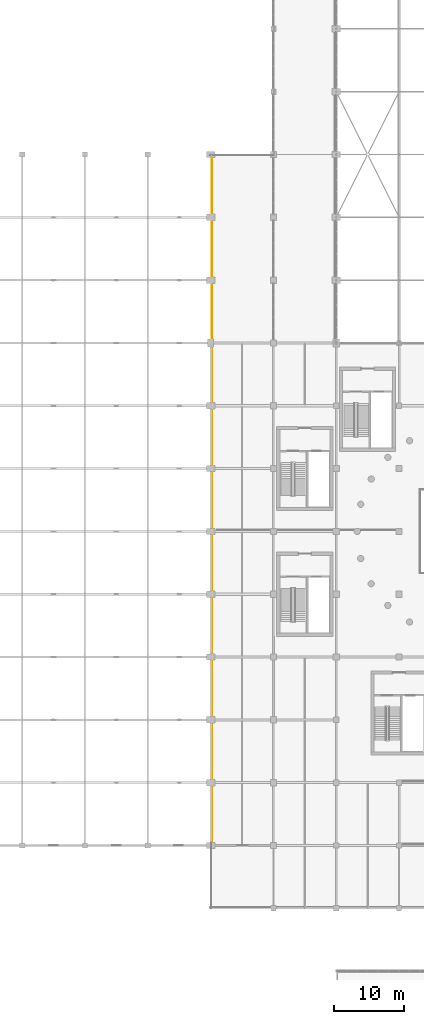
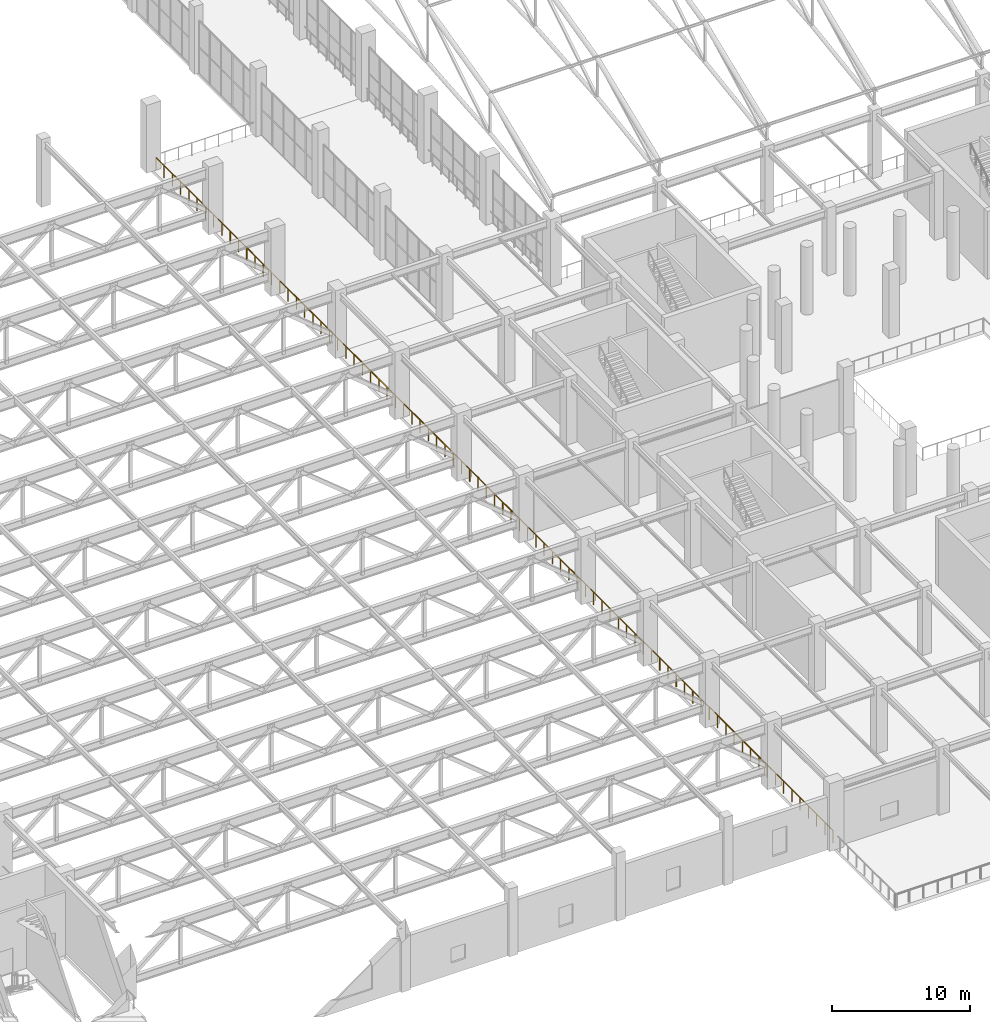
# One storey, part 209 of 223: 1 railing.
"""IFC4 building model written with IfcOpenShell, lengths in metres."""

from ifc_helpers import new_model, si_unit, direction, frame, origin, origin_2d, place, context, subcontext, project, spatial, circle, extrude, material, type_object, element, save


model = new_model("IFC4")

# Units and contexts
model_context = context("Model", 3, precision=1e-05, world=origin(), true_north=direction((0.0, 1.0)))
body_context = subcontext(model_context, "Body", "Model", "MODEL_VIEW")
ifc_project = project(units=[si_unit("LENGTHUNIT", "METRE"), si_unit("AREAUNIT", "SQUARE_METRE"), si_unit("VOLUMEUNIT", "CUBIC_METRE"), si_unit("PLANEANGLEUNIT", "RADIAN"), si_unit("MASSUNIT", "GRAM", prefix="KILO")], contexts=[model_context])

# Site, building, storey
site_placement = place(None, origin())
site = spatial("IfcSite", under=ifc_project, at=site_placement, CompositionType="ELEMENT")
building_placement = place(site_placement, origin())
building = spatial("IfcBuilding", under=site, at=building_placement, Name="Dornveld Trade and Exhibition Forum", CompositionType="ELEMENT")
storey_placement = place(building_placement, frame((0.0, 0.0, 6.0)))
storey = spatial("IfcBuildingStorey", under=building, at=storey_placement, Name="L01", CompositionType="ELEMENT", Elevation=6.0)

# Railing
ifc_material = material(Name="Dark-bronze steel and laminated glass balustrade", Category="steel")
railing_type = type_object("IfcRailingType", Name="RL-BALUST-CONC", PredefinedType="BALUSTRADE", material=ifc_material)
railing_placement = place(storey_placement, frame((81.199951171875, 36.39990234375, 0.0)))
element("IfcRailing", 1, at=railing_placement, inside=storey, type_object=railing_type, Name="L01 protective edge guard 22", PredefinedType="BALUSTRADE", context=body_context, shape_type="SweptSolid", body=[
    extrude(circle(Radius=0.02490234375, at=origin_2d()), frame((0.0, 0.0, 1.09521484375), z_axis=(0.0, 1.0, 0.0), x_axis=(-1.0, 0.0, 0.0)), (0.0, 0.0, 1.0), 98.2001953125),
    extrude(circle(Radius=0.02099609375, at=origin_2d()), origin(), (0.0, 0.0, 1.0), 1.070068359375),
    extrude(circle(Radius=0.02099609375, at=origin_2d()), frame((0.0, 1.197509765625, 0.0)), (0.0, 0.0, 1.0), 1.070068359375),
    extrude(circle(Radius=0.02099609375, at=origin_2d()), frame((0.0, 2.39501953125, 0.0)), (0.0, 0.0, 1.0), 1.070068359375),
    extrude(circle(Radius=0.02099609375, at=origin_2d()), frame((0.0, 3.5927734375, 0.0)), (0.0, 0.0, 1.0), 1.070068359375),
    extrude(circle(Radius=0.02099609375, at=origin_2d()), frame((0.0, 4.790283203125, 0.0)), (0.0, 0.0, 1.0), 1.070068359375),
    extrude(circle(Radius=0.02099609375, at=origin_2d()), frame((0.0, 5.98779296875, 0.0)), (0.0, 0.0, 1.0), 1.070068359375),
    extrude(circle(Radius=0.02099609375, at=origin_2d()), frame((0.0, 7.185302734375, 0.0)), (0.0, 0.0, 1.0), 1.070068359375),
    extrude(circle(Radius=0.02099609375, at=origin_2d()), frame((0.0, 8.383056640625, 0.0)), (0.0, 0.0, 1.0), 1.070068359375),
    extrude(circle(Radius=0.02099609375, at=origin_2d()), frame((0.0, 9.58056640625, 0.0)), (0.0, 0.0, 1.0), 1.070068359375),
    extrude(circle(Radius=0.02099609375, at=origin_2d()), frame((0.0, 10.778076171875, 0.0)), (0.0, 0.0, 1.0), 1.070068359375),
    extrude(circle(Radius=0.02099609375, at=origin_2d()), frame((0.0, 11.9755859375, 0.0)), (0.0, 0.0, 1.0), 1.070068359375),
    extrude(circle(Radius=0.02099609375, at=origin_2d()), frame((0.0, 13.173095703125, 0.0)), (0.0, 0.0, 1.0), 1.070068359375),
    extrude(circle(Radius=0.02099609375, at=origin_2d()), frame((0.0, 14.370849609375, 0.0)), (0.0, 0.0, 1.0), 1.070068359375),
    extrude(circle(Radius=0.02099609375, at=origin_2d()), frame((0.0, 15.568359375, 0.0)), (0.0, 0.0, 1.0), 1.070068359375),
    extrude(circle(Radius=0.02099609375, at=origin_2d()), frame((0.0, 16.765869140625, 0.0)), (0.0, 0.0, 1.0), 1.070068359375),
    extrude(circle(Radius=0.02099609375, at=origin_2d()), frame((0.0, 17.96337890625, 0.0)), (0.0, 0.0, 1.0), 1.070068359375),
    extrude(circle(Radius=0.02099609375, at=origin_2d()), frame((0.0, 19.1611328125, 0.0)), (0.0, 0.0, 1.0), 1.070068359375),
    extrude(circle(Radius=0.02099609375, at=origin_2d()), frame((0.0, 20.358642578125, 0.0)), (0.0, 0.0, 1.0), 1.070068359375),
    extrude(circle(Radius=0.02099609375, at=origin_2d()), frame((0.0, 21.55615234375, 0.0)), (0.0, 0.0, 1.0), 1.070068359375),
    extrude(circle(Radius=0.02099609375, at=origin_2d()), frame((0.0, 22.753662109375, 0.0)), (0.0, 0.0, 1.0), 1.070068359375),
    extrude(circle(Radius=0.02099609375, at=origin_2d()), frame((0.0, 23.951171875, 0.0)), (0.0, 0.0, 1.0), 1.070068359375),
    extrude(circle(Radius=0.02099609375, at=origin_2d()), frame((0.0, 25.14892578125, 0.0)), (0.0, 0.0, 1.0), 1.070068359375),
    extrude(circle(Radius=0.02099609375, at=origin_2d()), frame((0.0, 26.346435546875, 0.0)), (0.0, 0.0, 1.0), 1.070068359375),
    extrude(circle(Radius=0.02099609375, at=origin_2d()), frame((0.0, 27.5439453125, 0.0)), (0.0, 0.0, 1.0), 1.070068359375),
    extrude(circle(Radius=0.02099609375, at=origin_2d()), frame((0.0, 28.741455078125, 0.0)), (0.0, 0.0, 1.0), 1.070068359375),
    extrude(circle(Radius=0.02099609375, at=origin_2d()), frame((0.0, 29.93896484375, 0.0)), (0.0, 0.0, 1.0), 1.070068359375),
    extrude(circle(Radius=0.02099609375, at=origin_2d()), frame((0.0, 31.13671875, 0.0)), (0.0, 0.0, 1.0), 1.070068359375),
    extrude(circle(Radius=0.02099609375, at=origin_2d()), frame((0.0, 32.334228515625, 0.0)), (0.0, 0.0, 1.0), 1.070068359375),
    extrude(circle(Radius=0.02099609375, at=origin_2d()), frame((0.0, 33.53173828125, 0.0)), (0.0, 0.0, 1.0), 1.070068359375),
    extrude(circle(Radius=0.02099609375, at=origin_2d()), frame((0.0, 34.729248046875, 0.0)), (0.0, 0.0, 1.0), 1.070068359375),
    extrude(circle(Radius=0.02099609375, at=origin_2d()), frame((0.0, 35.927001953125, 0.0)), (0.0, 0.0, 1.0), 1.070068359375),
    extrude(circle(Radius=0.02099609375, at=origin_2d()), frame((0.0, 37.12451171875, 0.0)), (0.0, 0.0, 1.0), 1.070068359375),
    extrude(circle(Radius=0.02099609375, at=origin_2d()), frame((0.0, 38.322021484375, 0.0)), (0.0, 0.0, 1.0), 1.070068359375),
    extrude(circle(Radius=0.02099609375, at=origin_2d()), frame((0.0, 39.51953125, 0.0)), (0.0, 0.0, 1.0), 1.070068359375),
    extrude(circle(Radius=0.02099609375, at=origin_2d()), frame((0.0, 40.717041015625, 0.0)), (0.0, 0.0, 1.0), 1.070068359375),
    extrude(circle(Radius=0.02099609375, at=origin_2d()), frame((0.0, 41.914794921875, 0.0)), (0.0, 0.0, 1.0), 1.070068359375),
    extrude(circle(Radius=0.02099609375, at=origin_2d()), frame((0.0, 43.1123046875, 0.0)), (0.0, 0.0, 1.0), 1.070068359375),
    extrude(circle(Radius=0.02099609375, at=origin_2d()), frame((0.0, 44.309814453125, 0.0)), (0.0, 0.0, 1.0), 1.070068359375),
    extrude(circle(Radius=0.02099609375, at=origin_2d()), frame((0.0, 45.50732421875, 0.0)), (0.0, 0.0, 1.0), 1.070068359375),
    extrude(circle(Radius=0.02099609375, at=origin_2d()), frame((0.0, 46.705078125, 0.0)), (0.0, 0.0, 1.0), 1.070068359375),
    extrude(circle(Radius=0.02099609375, at=origin_2d()), frame((0.0, 47.902587890625, 0.0)), (0.0, 0.0, 1.0), 1.070068359375),
    extrude(circle(Radius=0.02099609375, at=origin_2d()), frame((0.0, 49.10009765625, 0.0)), (0.0, 0.0, 1.0), 1.070068359375),
    extrude(circle(Radius=0.02099609375, at=origin_2d()), frame((0.0, 50.297607421875, 0.0)), (0.0, 0.0, 1.0), 1.070068359375),
    extrude(circle(Radius=0.02099609375, at=origin_2d()), frame((0.0, 51.4951171875, 0.0)), (0.0, 0.0, 1.0), 1.070068359375),
    extrude(circle(Radius=0.02099609375, at=origin_2d()), frame((0.0, 52.69287109375, 0.0)), (0.0, 0.0, 1.0), 1.070068359375),
    extrude(circle(Radius=0.02099609375, at=origin_2d()), frame((0.0, 53.890380859375, 0.0)), (0.0, 0.0, 1.0), 1.070068359375),
    extrude(circle(Radius=0.02099609375, at=origin_2d()), frame((0.0, 55.087890625, 0.0)), (0.0, 0.0, 1.0), 1.070068359375),
    extrude(circle(Radius=0.02099609375, at=origin_2d()), frame((0.0, 56.285400390625, 0.0)), (0.0, 0.0, 1.0), 1.070068359375),
    extrude(circle(Radius=0.02099609375, at=origin_2d()), frame((0.0, 57.483154296875, 0.0)), (0.0, 0.0, 1.0), 1.070068359375),
    extrude(circle(Radius=0.02099609375, at=origin_2d()), frame((0.0, 58.6806640625, 0.0)), (0.0, 0.0, 1.0), 1.070068359375),
    extrude(circle(Radius=0.02099609375, at=origin_2d()), frame((0.0, 59.878173828125, 0.0)), (0.0, 0.0, 1.0), 1.070068359375),
    extrude(circle(Radius=0.02099609375, at=origin_2d()), frame((0.0, 61.07568359375, 0.0)), (0.0, 0.0, 1.0), 1.070068359375),
    extrude(circle(Radius=0.02099609375, at=origin_2d()), frame((0.0, 62.273193359375, 0.0)), (0.0, 0.0, 1.0), 1.070068359375),
    extrude(circle(Radius=0.02099609375, at=origin_2d()), frame((0.0, 63.470947265625, 0.0)), (0.0, 0.0, 1.0), 1.070068359375),
    extrude(circle(Radius=0.02099609375, at=origin_2d()), frame((0.0, 64.66845703125, 0.0)), (0.0, 0.0, 1.0), 1.070068359375),
    extrude(circle(Radius=0.02099609375, at=origin_2d()), frame((0.0, 65.865966796875, 0.0)), (0.0, 0.0, 1.0), 1.070068359375),
    extrude(circle(Radius=0.02099609375, at=origin_2d()), frame((0.0, 67.0634765625, 0.0)), (0.0, 0.0, 1.0), 1.070068359375),
    extrude(circle(Radius=0.02099609375, at=origin_2d()), frame((0.0, 68.26123046875, 0.0)), (0.0, 0.0, 1.0), 1.070068359375),
    extrude(circle(Radius=0.02099609375, at=origin_2d()), frame((0.0, 69.458740234375, 0.0)), (0.0, 0.0, 1.0), 1.070068359375),
    extrude(circle(Radius=0.02099609375, at=origin_2d()), frame((0.0, 70.65625, 0.0)), (0.0, 0.0, 1.0), 1.070068359375),
    extrude(circle(Radius=0.02099609375, at=origin_2d()), frame((0.0, 71.853759765625, 0.0)), (0.0, 0.0, 1.0), 1.070068359375),
    extrude(circle(Radius=0.02099609375, at=origin_2d()), frame((0.0, 73.05126953125, 0.0)), (0.0, 0.0, 1.0), 1.070068359375),
    extrude(circle(Radius=0.02099609375, at=origin_2d()), frame((0.0, 74.2490234375, 0.0)), (0.0, 0.0, 1.0), 1.070068359375),
    extrude(circle(Radius=0.02099609375, at=origin_2d()), frame((0.0, 75.446533203125, 0.0)), (0.0, 0.0, 1.0), 1.070068359375),
    extrude(circle(Radius=0.02099609375, at=origin_2d()), frame((0.0, 76.64404296875, 0.0)), (0.0, 0.0, 1.0), 1.070068359375),
    extrude(circle(Radius=0.02099609375, at=origin_2d()), frame((0.0, 77.841552734375, 0.0)), (0.0, 0.0, 1.0), 1.070068359375),
    extrude(circle(Radius=0.02099609375, at=origin_2d()), frame((0.0, 79.0390625, 0.0)), (0.0, 0.0, 1.0), 1.070068359375),
    extrude(circle(Radius=0.02099609375, at=origin_2d()), frame((0.0, 80.23681640625, 0.0)), (0.0, 0.0, 1.0), 1.070068359375),
    extrude(circle(Radius=0.02099609375, at=origin_2d()), frame((0.0, 81.434326171875, 0.0)), (0.0, 0.0, 1.0), 1.070068359375),
    extrude(circle(Radius=0.02099609375, at=origin_2d()), frame((0.0, 82.6318359375, 0.0)), (0.0, 0.0, 1.0), 1.070068359375),
    extrude(circle(Radius=0.02099609375, at=origin_2d()), frame((0.0, 83.829345703125, 0.0)), (0.0, 0.0, 1.0), 1.070068359375),
    extrude(circle(Radius=0.02099609375, at=origin_2d()), frame((0.0, 85.027099609375, 0.0)), (0.0, 0.0, 1.0), 1.070068359375),
    extrude(circle(Radius=0.02099609375, at=origin_2d()), frame((0.0, 86.224609375, 0.0)), (0.0, 0.0, 1.0), 1.070068359375),
    extrude(circle(Radius=0.02099609375, at=origin_2d()), frame((0.0, 87.422119140625, 0.0)), (0.0, 0.0, 1.0), 1.070068359375),
    extrude(circle(Radius=0.02099609375, at=origin_2d()), frame((0.0, 88.61962890625, 0.0)), (0.0, 0.0, 1.0), 1.070068359375),
    extrude(circle(Radius=0.02099609375, at=origin_2d()), frame((0.0, 89.817138671875, 0.0)), (0.0, 0.0, 1.0), 1.070068359375),
    extrude(circle(Radius=0.02099609375, at=origin_2d()), frame((0.0, 91.014892578125, 0.0)), (0.0, 0.0, 1.0), 1.070068359375),
    extrude(circle(Radius=0.02099609375, at=origin_2d()), frame((0.0, 92.21240234375, 0.0)), (0.0, 0.0, 1.0), 1.070068359375),
    extrude(circle(Radius=0.02099609375, at=origin_2d()), frame((0.0, 93.409912109375, 0.0)), (0.0, 0.0, 1.0), 1.070068359375),
    extrude(circle(Radius=0.02099609375, at=origin_2d()), frame((0.0, 94.607421875, 0.0)), (0.0, 0.0, 1.0), 1.070068359375),
    extrude(circle(Radius=0.02099609375, at=origin_2d()), frame((0.0, 95.80517578125, 0.0)), (0.0, 0.0, 1.0), 1.070068359375),
    extrude(circle(Radius=0.02099609375, at=origin_2d()), frame((0.0, 97.002685546875, 0.0)), (0.0, 0.0, 1.0), 1.070068359375),
    extrude(circle(Radius=0.02099609375, at=origin_2d()), frame((0.0, 98.2001953125, 0.0)), (0.0, 0.0, 1.0), 1.070068359375),
])

save(model, "model.ifc")
